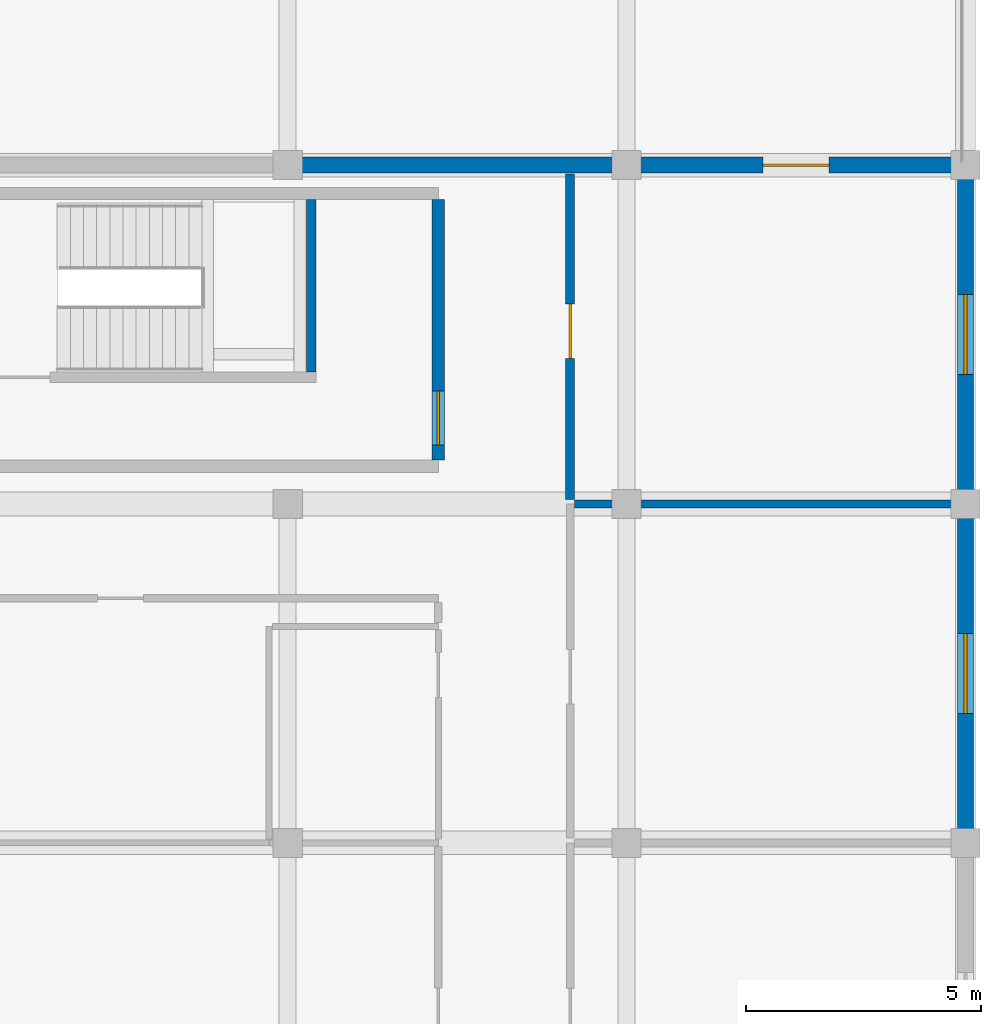
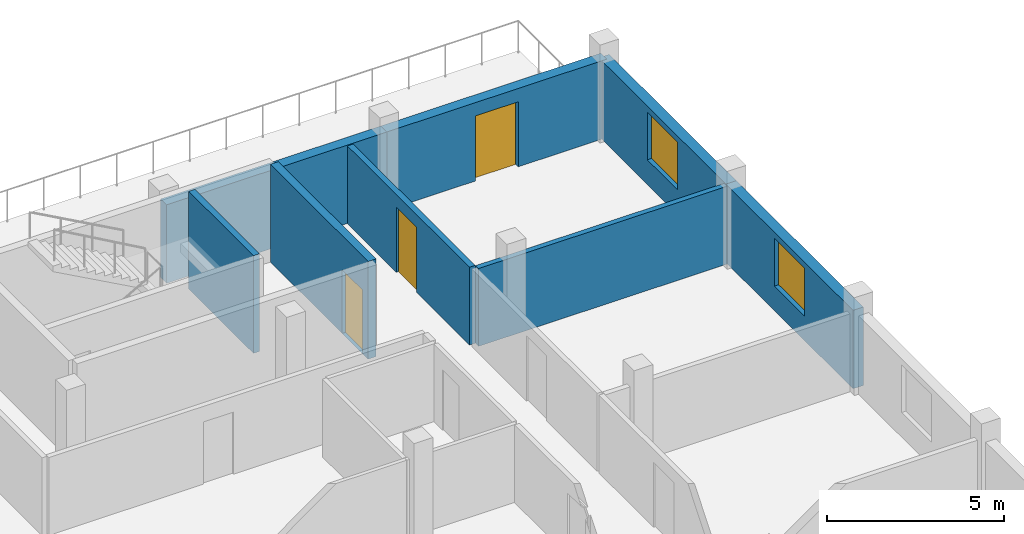
# One storey, part 77 of 84: 8 walls, 3 doors, 2 windows, 5 openings.
"""IFC4 building model written with IfcOpenShell, lengths in metres."""

from ifc_helpers import new_model, si_unit, direction, frame, frame_2d, origin, place, context, subcontext, project, spatial, rectangle, extrude, material, layer, layer_set, type_object, element, fill, save


model = new_model("IFC4")

# Units and contexts
model_context = context("Model", 3, precision=1e-05, world=origin(), true_north=direction((0.0, 1.0)))
body_context = subcontext(model_context, "Body", "Model", "MODEL_VIEW")
ifc_project = project(units=[si_unit("LENGTHUNIT", "METRE"), si_unit("AREAUNIT", "SQUARE_METRE"), si_unit("VOLUMEUNIT", "CUBIC_METRE"), si_unit("PLANEANGLEUNIT", "RADIAN"), si_unit("MASSUNIT", "GRAM", prefix="KILO")], contexts=[model_context])

# Site, building, storey
site_placement = place(None, origin())
site = spatial("IfcSite", under=ifc_project, at=site_placement, CompositionType="ELEMENT")
building_placement = place(site_placement, origin())
building = spatial("IfcBuilding", under=site, at=building_placement, Name="Zornivar Specialist Clinic", CompositionType="ELEMENT")
storey_placement = place(building_placement, frame((0.0, 0.0, 12.300048828125)))
storey = spatial("IfcBuildingStorey", under=building, at=storey_placement, Name="L03", CompositionType="ELEMENT", Elevation=12.300048828125)

# Wall, opening, window
ifc_material_1 = material(Name="Masonry Laboratory Terracotta and Stone Cavity Wall", Category="masonry")
ifc_layer_1 = layer(ifc_material_1, 0.340087890625)
ifc_layer_set_1 = layer_set([ifc_layer_1], Name="Masonry Laboratory Terracotta and Stone Cavity Wall")
wall_type_1 = type_object("IfcWallType", Name="EW-LAB-340", PredefinedType="SOLIDWALL", material=ifc_layer_set_1)
wall_1_placement = place(storey_placement, frame((165.60009765625, 93.60009765625, 0.0), z_axis=(0.0, 0.0, 1.0), x_axis=(0.0, 1.0, 0.0)))
wall_1 = element("IfcWall", 1, at=wall_1_placement, inside=storey, type_object=wall_type_1, Name="ew:V6:L03:08", PredefinedType="SOLIDWALL", context=body_context, shape_type="SweptSolid", body=[
    extrude(rectangle(XDim=7.199951171875, YDim=0.340087890625, at=frame_2d((3.60009765625, 0.0))), origin(), (0.0, 0.0, 1.0), 2.7099609375),
])
opening_1_placement = place(wall_1_placement, frame((2.75, 0.0, 0.85009765625)))
opening_1 = element("IfcOpeningElement", 2, at=opening_1_placement, cuts=wall_1, Name="Opening W-21", PredefinedType="OPENING", context=body_context, shape_type="SweptSolid", body=[
    extrude(rectangle(XDim=1.699951171875, YDim=1.64990234375, at=frame_2d((0.85009765625, 0.824951171875))), frame((0.0, 0.179931640625, 0.0), z_axis=(0.0, -1.0, 0.0), x_axis=(1.0, 0.0, 0.0)), (0.0, 0.0, 1.0), 0.360107421875),
])
ifc_material_2 = material(Name="Triple-Glazed Aluminium-Timber Window Glass", Category="wood")
window_type = type_object("IfcWindowType", Name="WIN-LAB-UPPER-1700x1650", PartitioningType="SINGLE_PANEL", PredefinedType="WINDOW", material=ifc_material_2)
window_1_placement = place(opening_1_placement, origin())
window_1 = element("IfcWindow", 3, at=window_1_placement, inside=storey, type_object=window_type, Name="win:V6:L03:08", OverallHeight=1.64990234375, OverallWidth=1.699951171875, PartitioningType="SINGLE_PANEL", PredefinedType="WINDOW", context=body_context, shape_type="SweptSolid", body=[
    extrude(rectangle(XDim=1.699951171875, YDim=1.64990234375, at=frame_2d((0.85009765625, 0.824951171875))), frame((0.0, 0.030029296875, 0.0), z_axis=(0.0, -1.0, 0.0), x_axis=(1.0, 0.0, 0.0)), (0.0, 0.0, 1.0), 0.06005859375),
])
fill(opening_1, window_1)

wall_2_placement = place(storey_placement, frame((165.60009765625, 100.800048828125, 0.0), z_axis=(0.0, 0.0, 1.0), x_axis=(0.0, 1.0, 0.0)))
wall_2 = element("IfcWall", 4, at=wall_2_placement, inside=storey, type_object=wall_type_1, Name="ew:V6:L03:09", PredefinedType="SOLIDWALL", context=body_context, shape_type="SweptSolid", body=[
    extrude(rectangle(XDim=7.199951171875, YDim=0.340087890625, at=frame_2d((3.60009765625, 0.0))), origin(), (0.0, 0.0, 1.0), 2.7099609375),
])
opening_2_placement = place(wall_2_placement, frame((2.75, 0.0, 0.85009765625)))
opening_2 = element("IfcOpeningElement", 5, at=opening_2_placement, cuts=wall_2, Name="Opening W-21", PredefinedType="OPENING", context=body_context, shape_type="SweptSolid", body=[
    extrude(rectangle(XDim=1.699951171875, YDim=1.64990234375, at=frame_2d((0.85009765625, 0.824951171875))), frame((0.0, 0.179931640625, 0.0), z_axis=(0.0, -1.0, 0.0), x_axis=(1.0, 0.0, 0.0)), (0.0, 0.0, 1.0), 0.360107421875),
])
window_2_placement = place(opening_2_placement, origin())
window_2 = element("IfcWindow", 6, at=window_2_placement, inside=storey, type_object=window_type, Name="win:V6:L03:09", OverallHeight=1.64990234375, OverallWidth=1.699951171875, PartitioningType="SINGLE_PANEL", PredefinedType="WINDOW", context=body_context, shape_type="SweptSolid", body=[
    extrude(rectangle(XDim=1.699951171875, YDim=1.64990234375, at=frame_2d((0.85009765625, 0.824951171875))), frame((0.0, 0.030029296875, 0.0), z_axis=(0.0, -1.0, 0.0), x_axis=(1.0, 0.0, 0.0)), (0.0, 0.0, 1.0), 0.06005859375),
])
fill(opening_2, window_2)

# Wall, opening, door
wall_3_placement = place(storey_placement, frame((165.60009765625, 108.0, 0.0), z_axis=(0.0, 0.0, 1.0), x_axis=(-1.0, 0.0, 0.0)))
wall_3 = element("IfcWall", 7, at=wall_3_placement, inside=storey, type_object=wall_type_1, Name="ew:V6:L03:10", PredefinedType="SOLIDWALL", context=body_context, shape_type="SweptSolid", body=[
    extrude(rectangle(XDim=7.2001953125, YDim=0.340087890625, at=frame_2d((3.60009765625, 0.0))), origin(), (0.0, 0.0, 1.0), 2.7099609375),
])
opening_3_placement = place(wall_3_placement, frame((2.89990234375, 0.0, 0.0)))
opening_3 = element("IfcOpeningElement", 8, at=opening_3_placement, cuts=wall_3, Name="Opening TD-01", PredefinedType="OPENING", context=body_context, shape_type="SweptSolid", body=[
    extrude(rectangle(XDim=1.39990234375, YDim=2.25, at=frame_2d((0.699951171875, 1.125))), frame((0.0, 0.179931640625, 0.0), z_axis=(0.0, -1.0, 0.0), x_axis=(1.0, 0.0, 0.0)), (0.0, 0.0, 1.0), 0.360107421875),
])
ifc_material_3 = material(Name="Thermally Broken Glazed Aluminium Door", Category="aluminium")
door_type_1 = type_object("IfcDoorType", Name="TD-TERR-1400x2250", OperationType="NOTDEFINED", PredefinedType="DOOR", material=ifc_material_3)
door_1_placement = place(opening_3_placement, origin())
door_1 = element("IfcDoor", 9, at=door_1_placement, inside=storey, type_object=door_type_1, Name="door:V6:L03:terr:0", OperationType="SINGLE_SWING_LEFT", OverallHeight=2.25, OverallWidth=1.39990234375, PredefinedType="DOOR", context=body_context, shape_type="SweptSolid", body=[
    extrude(rectangle(XDim=1.39990234375, YDim=2.25, at=frame_2d((0.699951171875, 1.125))), frame((0.0, 0.02490234375, 0.0), z_axis=(0.0, -1.0, 0.0), x_axis=(1.0, 0.0, 0.0)), (0.0, 0.0, 1.0), 0.050048828125),
])
fill(opening_3, door_1)

# Walls
wall_4_placement = place(storey_placement, frame((158.39990234375, 108.0, 0.0), z_axis=(0.0, 0.0, 1.0), x_axis=(-1.0, 0.0, 0.0)))
element("IfcWall", 10, at=wall_4_placement, inside=storey, type_object=wall_type_1, Name="ew:V6:L03:11", PredefinedType="SOLIDWALL", context=body_context, shape_type="SweptSolid", body=[
    extrude(rectangle(XDim=7.199951171875, YDim=0.340087890625, at=frame_2d((3.60009765625, 0.0))), origin(), (0.0, 0.0, 1.0), 2.7099609375),
])
ifc_material_4 = material(Name="Laboratory Chemical-Resistant Stud Partition")
ifc_layer_2 = layer(ifc_material_4, 0.169921875)
ifc_layer_set_2 = layer_set([ifc_layer_2], Name="Laboratory Chemical-Resistant Stud Partition")
wall_type_2 = type_object("IfcWallType", Name="IW-LAB-EI60-170", PredefinedType="PARTITIONING", material=ifc_layer_set_2)
wall_5_placement = place(storey_placement, frame((157.2939453125, 100.800048828125, 0.0), z_axis=(0.0, 0.0, 1.0), x_axis=(1.0, 0.0, 0.0)))
element("IfcWall", 11, at=wall_5_placement, inside=storey, type_object=wall_type_2, Name="iw:L03:129", PredefinedType="PARTITIONING", context=body_context, shape_type="SweptSolid", body=[
    extrude(rectangle(XDim=8.12109375, YDim=0.169921875, at=frame_2d((4.060546875, 0.0))), origin(), (0.0, 0.0, 1.0), 2.68994140625),
])

# Wall, opening, door
ifc_material_5 = material(Name="GMP Cleanroom Insulated Double Partition")
ifc_layer_3 = layer(ifc_material_5, 0.18994140625)
ifc_layer_set_3 = layer_set([ifc_layer_3], Name="GMP Cleanroom Insulated Double Partition")
wall_type_3 = type_object("IfcWallType", Name="IW-PHARM-GMP-190", PredefinedType="PARTITIONING", material=ifc_layer_set_3)
wall_6_placement = place(storey_placement, frame((157.199951171875, 100.89892578125, 0.0), z_axis=(0.0, 0.0, 1.0), x_axis=(0.0, 1.0, 0.0)))
wall_6 = element("IfcWall", 12, at=wall_6_placement, inside=storey, type_object=wall_type_3, Name="iw:L03:130", PredefinedType="PARTITIONING", context=body_context, shape_type="SweptSolid", body=[
    extrude(rectangle(XDim=6.916015625, YDim=0.18994140625, at=frame_2d((3.4580078125, 0.0))), origin(), (0.0, 0.0, 1.0), 2.68994140625),
])
opening_4_placement = place(wall_6_placement, frame((2.9970703125, 0.0, 0.0)))
opening_4 = element("IfcOpeningElement", 13, at=opening_4_placement, cuts=wall_6, Name="Opening ID-06", PredefinedType="OPENING", context=body_context, shape_type="SweptSolid", body=[
    extrude(rectangle(XDim=1.14990234375, YDim=2.25, at=frame_2d((0.574951171875, 1.125))), frame((0.0, 0.10498046875, 0.0), z_axis=(0.0, -1.0, 0.0), x_axis=(1.0, 0.0, 0.0)), (0.0, 0.0, 1.0), 0.2099609375),
])
ifc_material_6 = material(Name="Solid-Core Hygienic Laminate Timber Door", Category="wood")
door_type_2 = type_object("IfcDoorType", Name="ID-LAB-1150x2250", OperationType="NOTDEFINED", PredefinedType="DOOR", material=ifc_material_6)
door_2_placement = place(opening_4_placement, origin())
door_2 = element("IfcDoor", 14, at=door_2_placement, inside=storey, type_object=door_type_2, Name="door:space:V6:L03:rm:12", OperationType="SINGLE_SWING_LEFT", OverallHeight=2.25, OverallWidth=1.14990234375, PredefinedType="DOOR", context=body_context, shape_type="SweptSolid", body=[
    extrude(rectangle(XDim=1.14990234375, YDim=2.25, at=frame_2d((0.574951171875, 1.125))), frame((0.0, 0.02490234375, 0.0), z_axis=(0.0, -1.0, 0.0), x_axis=(1.0, 0.0, 0.0)), (0.0, 0.0, 1.0), 0.050048828125),
])
fill(opening_4, door_2)

ifc_material_7 = material(Name="Concrete C35/45", Category="concrete")
ifc_layer_4 = layer(ifc_material_7, 0.260009765625)
ifc_layer_set_4 = layer_set([ifc_layer_4], Name="Concrete C35/45")
wall_type_4 = type_object("IfcWallType", Name="SW-CORE-260", PredefinedType="SHEAR", material=ifc_layer_set_4)
wall_7_placement = place(storey_placement, frame((154.39990234375, 101.72998046875, 0.0), z_axis=(0.0, 0.0, 1.0), x_axis=(0.0, 1.0, 0.0)))
wall_7 = element("IfcWall", 15, at=wall_7_placement, inside=storey, type_object=wall_type_4, Name="sw:C10:L03:w1", PredefinedType="SHEAR", context=body_context, shape_type="SweptSolid", body=[
    extrude(rectangle(XDim=5.5400390625, YDim=0.260009765625, at=frame_2d((2.77001953125, 0.0))), origin(), (0.0, 0.0, 1.0), 3.3798828125),
])
opening_5_placement = place(wall_7_placement, frame((0.320068359375, 0.0, 0.0)))
opening_5 = element("IfcOpeningElement", 16, at=opening_5_placement, cuts=wall_7, Name="Opening FD-03", PredefinedType="OPENING", context=body_context, shape_type="SweptSolid", body=[
    extrude(rectangle(XDim=1.14990234375, YDim=2.199951171875, at=frame_2d((0.574951171875, 1.10009765625))), frame((0.0, 0.139892578125, 0.0), z_axis=(0.0, -1.0, 0.0), x_axis=(1.0, 0.0, 0.0)), (0.0, 0.0, 1.0), 0.280029296875),
])
ifc_material_8 = material(Name="Solid-Core Hygienic Laminate Timber Door", Category="wood")
door_type_3 = type_object("IfcDoorType", Name="FD-LOBBY-UPPER-1150x2200", OperationType="NOTDEFINED", PredefinedType="DOOR", material=ifc_material_8)
door_3_placement = place(opening_5_placement, origin())
door_3 = element("IfcDoor", 17, at=door_3_placement, inside=storey, type_object=door_type_3, Name="door:C10:L03:lob", OperationType="SINGLE_SWING_RIGHT", OverallHeight=2.199951171875, OverallWidth=1.14990234375, PredefinedType="DOOR", context=body_context, shape_type="SweptSolid", body=[
    extrude(rectangle(XDim=1.14990234375, YDim=2.199951171875, at=frame_2d((0.574951171875, 1.10009765625))), frame((0.0, 0.02490234375, 0.0), z_axis=(0.0, -1.0, 0.0), x_axis=(1.0, 0.0, 0.0)), (0.0, 0.0, 1.0), 0.050048828125),
])
fill(opening_5, door_3)

# Wall
ifc_material_9 = material(Name="Concrete C30/37", Category="concrete")
ifc_layer_5 = layer(ifc_material_9, 0.199951171875)
ifc_layer_set_5 = layer_set([ifc_layer_5], Name="Concrete C30/37")
wall_type_5 = type_object("IfcWallType", Name="SW-LIFT-200", PredefinedType="SHEAR", material=ifc_layer_set_5)
wall_8_placement = place(storey_placement, frame((151.699951171875, 103.60009765625, 0.0), z_axis=(0.0, 0.0, 1.0), x_axis=(0.0, 1.0, 0.0)))
element("IfcWall", 18, at=wall_8_placement, inside=storey, type_object=wall_type_5, Name="sw:C10:L03:sdiv", PredefinedType="SHEAR", context=body_context, shape_type="SweptSolid", body=[
    extrude(rectangle(XDim=3.669921875, YDim=0.199951171875, at=frame_2d((1.8349609375, 0.0))), origin(), (0.0, 0.0, 1.0), 3.3798828125),
])

save(model, "model.ifc")
